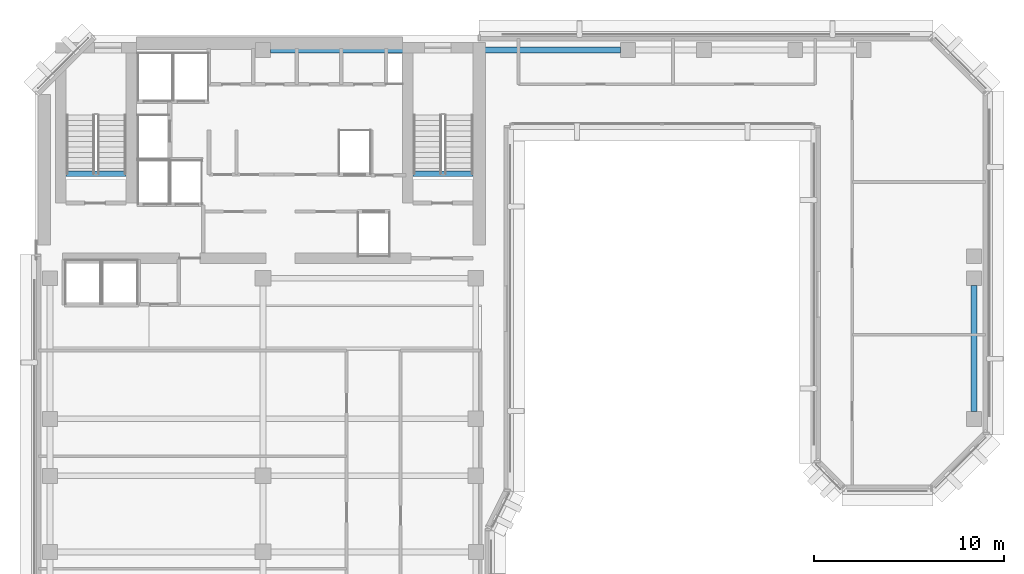
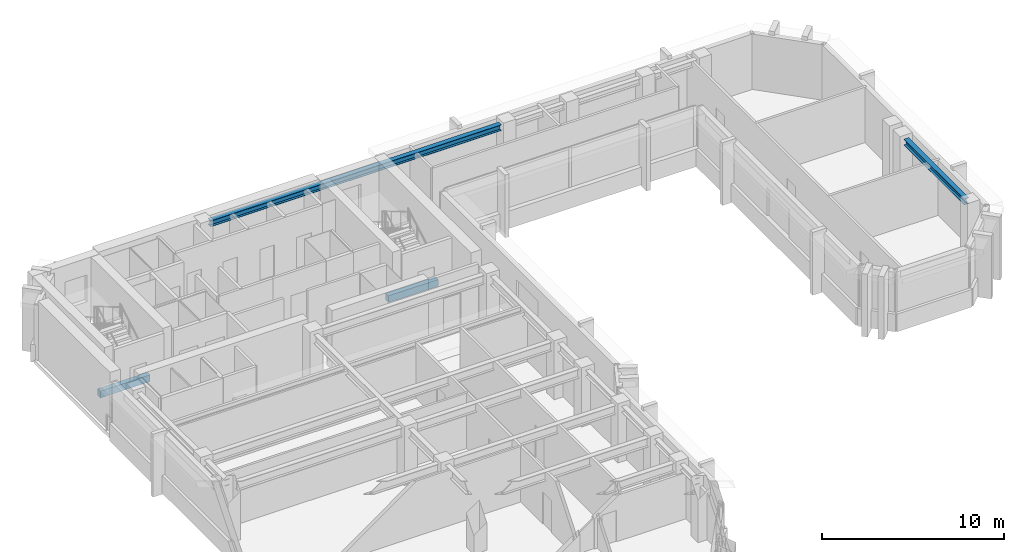
# One storey, part 3 of 11: 4 beams.
"""IFC4 building model written with IfcOpenShell, lengths in metres."""

import ifcopenshell
import ifcopenshell.guid

model = None  # the IFC model being written
_history = None  # IfcOwnerHistory: only IFC2X3 demands one
_inside = {}  # id of a spatial element -> (the spatial element, [elements in it])
_under = {}  # id of a project, library or spatial element -> (it, [spatial elements below it])
_declared = {}  # id of a project -> (the project, [libraries it declares])
_typed = {}  # id of a type object -> (the type object, [elements of that type])
_made_of = {}  # id of a material, layer set ... -> (it, [elements and type objects made of it])


def new_model(schema):
    """Start an empty IFC model of exactly this schema.

    Asked for "IFC4X3", IfcOpenShell would pick the latest addendum, in which some entities
    have other attributes; the version numbers below select the first issue.
    IFC2X3 requires an IfcOwnerHistory on every rooted entity: one is made here for all.
    """
    global model, _history
    if schema == "IFC4X3":
        model = ifcopenshell.file(schema_version=(4, 3, 0, 0))
    else:
        model = ifcopenshell.file(schema=schema)
    _inside.clear()
    _under.clear()
    _declared.clear()
    _typed.clear()
    _made_of.clear()
    _history = None
    if model.schema == "IFC2X3":
        org = make("IfcOrganization", Name="unknown")
        user = make(
            "IfcPersonAndOrganization",
            ThePerson=make("IfcPerson", FamilyName="unknown"),
            TheOrganization=org,
        )
        app = make(
            "IfcApplication",
            ApplicationDeveloper=org,
            Version="unknown",
            ApplicationFullName="unknown",
            ApplicationIdentifier="unknown",
        )
        _history = make(
            "IfcOwnerHistory",
            OwningUser=user,
            OwningApplication=app,
            ChangeAction="ADDED",
            CreationDate=0,
        )
    return model


def make(cls, **values):
    """One entity of the class cls with the attributes given. An attribute that is None is left unset."""
    return model.create_entity(
        cls, **{name: value for name, value in values.items() if value is not None}
    )


def rooted(cls, **values):
    """An entity with a GlobalId (a new one), such as an element, a storey or a relation."""
    return make(cls, GlobalId=ifcopenshell.guid.new(), OwnerHistory=_history, **values)


def si_unit(unit_type, name, prefix=None):
    """IfcSIUnit, for example si_unit("LENGTHUNIT", "METRE", prefix="MILLI")."""
    return make("IfcSIUnit", UnitType=unit_type, Prefix=prefix, Name=name)


def assignment(units):
    """IfcUnitAssignment: the units of a project."""
    return None if units is None else make("IfcUnitAssignment", Units=units)


def point(xyz):
    """IfcCartesianPoint."""
    return None if xyz is None else make("IfcCartesianPoint", Coordinates=xyz)


def direction(xyz):
    """IfcDirection."""
    return None if xyz is None else make("IfcDirection", DirectionRatios=xyz)


def frame(location, z_axis=None, x_axis=None):
    """IfcAxis2Placement3D, a coordinate frame: its origin and axes. An axis left out is left unset."""
    return make(
        "IfcAxis2Placement3D",
        Location=point(location),
        Axis=direction(z_axis),
        RefDirection=direction(x_axis),
    )


def frame_2d(location, x_axis=None):
    """IfcAxis2Placement2D, a coordinate frame in the plane: its origin and x axis."""
    return make(
        "IfcAxis2Placement2D", Location=point(location), RefDirection=direction(x_axis)
    )


def origin():
    """The frame at (0, 0, 0) with its axes left unset."""
    return frame((0.0, 0.0, 0.0))


def origin_2d():
    """The frame at (0, 0) in the plane with its x axis left unset."""
    return frame_2d((0.0, 0.0))


def place(relative_to, where):
    """IfcLocalPlacement: puts the frame where relative to a parent placement (None: the world)."""
    return make(
        "IfcLocalPlacement", PlacementRelTo=relative_to, RelativePlacement=where
    )


def context(
    kind, dimensions, precision=None, world=None, true_north=None, identifier=None
):
    """IfcGeometricRepresentationContext, for example the 3D "Model" context."""
    return make(
        "IfcGeometricRepresentationContext",
        ContextIdentifier=identifier,
        ContextType=kind,
        CoordinateSpaceDimension=dimensions,
        Precision=precision,
        WorldCoordinateSystem=world,
        TrueNorth=true_north,
    )


def subcontext(parent, identifier, kind, view, scale=None):
    """IfcGeometricRepresentationSubContext, for example "Body" below "Model"."""
    return make(
        "IfcGeometricRepresentationSubContext",
        ContextIdentifier=identifier,
        ContextType=kind,
        ParentContext=parent,
        TargetScale=scale,
        TargetView=view,
    )


def project(units=None, contexts=None):
    """IfcProject with its units and contexts."""
    return rooted(
        "IfcProject",
        Name="project",
        RepresentationContexts=contexts,
        UnitsInContext=assignment(units),
    )


def spatial(cls, under=None, at=None, **own):
    """A site, building, storey or space (cls), placed at a placement, below another one or the project."""
    s = rooted(cls, ObjectPlacement=at, **own)
    if under is not None:
        _under.setdefault(under.id(), (under, []))[1].append(s)
    return s


def profile(cls, at=None, kind="AREA", **sizes):
    """A parametric profile (cls). Its sizes go by their IFC names, for example OverallWidth=200.0."""
    return make(cls, ProfileType=kind, Position=at, **sizes)


def rectangle(**sizes):
    """IfcRectangleProfileDef."""
    return profile("IfcRectangleProfileDef", **sizes)


def i_section(**sizes):
    """IfcIShapeProfileDef."""
    return profile("IfcIShapeProfileDef", **sizes)


def extrude(swept, where, along, depth):
    """IfcExtrudedAreaSolid: the profile swept, set in the frame where, extruded along a direction by depth."""
    return make(
        "IfcExtrudedAreaSolid",
        SweptArea=swept,
        Position=where,
        ExtrudedDirection=direction(along),
        Depth=depth,
    )


def shape(context_of_items, identifier, shape_type, items):
    """IfcShapeRepresentation: the items that make up one representation, for example the "Body"."""
    return make(
        "IfcShapeRepresentation",
        ContextOfItems=context_of_items,
        RepresentationIdentifier=identifier,
        RepresentationType=shape_type,
        Items=items,
    )


def material(Name=None, Category=None):
    """IfcMaterial."""
    return make("IfcMaterial", Name=Name, Category=Category)


def material_profile(
    of_material, cross_section, Name=None, Category=None, Priority=None
):
    """IfcMaterialProfile: a cross section and its material."""
    return make(
        "IfcMaterialProfile",
        Name=Name,
        Material=of_material,
        Profile=cross_section,
        Priority=Priority,
        Category=Category,
    )


def profile_set(profiles, Name=None, composite=None):
    """IfcMaterialProfileSet."""
    return make(
        "IfcMaterialProfileSet",
        Name=Name,
        MaterialProfiles=profiles,
        CompositeProfile=composite,
    )


def made_of(thing, what):
    """Note that an element or type object is made of a material, layer set ...; save() writes the relation."""
    if what is not None:
        _made_of.setdefault(what.id(), (what, []))[1].append(thing)
    return thing


def type_object(cls, material=None, **own):
    """A type object (cls), such as IfcWallType, which elements share."""
    return made_of(rooted(cls, **own), material)


def element(
    cls,
    number,
    at=None,
    inside=None,
    cuts=None,
    type_object=None,
    material=None,
    context=None,
    identifier="Body",
    shape_type=None,
    held_by="IfcProductDefinitionShape",
    body=None,
    shapes=None,
    **own,
):
    """One element of the class cls, such as IfcWall. Its Tag is "e" and its number.

    at: its placement. inside: the storey or other place that contains it. cuts: it is an
    opening in that element (IfcRelVoidsElement). A single representation is given by context,
    identifier, shape_type and body (its items); several are given by shapes. held_by: the class
    of the entity that holds the representations. save() writes the other relations.
    """
    e = rooted(cls, Tag="e%d" % number, ObjectPlacement=at, **own)
    if body is not None:
        shapes = [shape(context, identifier, shape_type, body)]
    if shapes is not None:
        e.Representation = make(held_by, Representations=shapes)
    if inside is not None:
        _inside.setdefault(inside.id(), (inside, []))[1].append(e)
    if cuts is not None:
        rooted(
            "IfcRelVoidsElement", RelatingBuildingElement=cuts, RelatedOpeningElement=e
        )
    if type_object is not None:
        _typed.setdefault(type_object.id(), (type_object, []))[1].append(e)
    return made_of(e, material)


def aggregate(whole, parts):
    """IfcRelAggregates: a whole, such as a stair, and the parts it consists of."""
    return rooted("IfcRelAggregates", RelatingObject=whole, RelatedObjects=parts)


def save(model, path):
    """Write the relations noted so far, then the file.

    IfcRelAggregates (storeys below a building ...), IfcRelContainedInSpatialStructure (elements
    in a storey), IfcRelDefinesByType, IfcRelAssociatesMaterial and IfcRelDeclares: one each for
    every whole, place, type object, material and project.
    """
    for whole, parts in _under.values():
        aggregate(whole, parts)
    for where, things in _inside.values():
        rooted(
            "IfcRelContainedInSpatialStructure",
            RelatedElements=things,
            RelatingStructure=where,
        )
    for kind, things in _typed.values():
        rooted("IfcRelDefinesByType", RelatedObjects=things, RelatingType=kind)
    for what, things in _made_of.values():
        rooted("IfcRelAssociatesMaterial", RelatedObjects=things, RelatingMaterial=what)
    for by, libraries in _declared.values():
        rooted("IfcRelDeclares", RelatingContext=by, RelatedDefinitions=libraries)
    model.write(path)


model = new_model("IFC4")

# Units and contexts
model_context = context("Model", 3, precision=1e-05, world=origin(), true_north=direction((0.0, 1.0)))
body_context = subcontext(model_context, "Body", "Model", "MODEL_VIEW")
ifc_project = project(units=[si_unit("LENGTHUNIT", "METRE"), si_unit("AREAUNIT", "SQUARE_METRE"), si_unit("VOLUMEUNIT", "CUBIC_METRE"), si_unit("PLANEANGLEUNIT", "RADIAN"), si_unit("MASSUNIT", "GRAM", prefix="KILO")], contexts=[model_context])

# Site, building, storey
site_placement = place(None, origin())
site = spatial("IfcSite", under=ifc_project, at=site_placement, CompositionType="ELEMENT")
building_placement = place(site_placement, origin())
building = spatial("IfcBuilding", under=site, at=building_placement, Name="Kefirva Bronze Tower", CompositionType="ELEMENT")
storey_placement = place(building_placement, frame((0.0, 0.0, 227.699951171875)))
storey = spatial("IfcBuildingStorey", under=building, at=storey_placement, Name="L55", CompositionType="ELEMENT", Elevation=227.699951171875)

# Beams
ifc_material_1 = material(Name="Concrete C50/60", Category="concrete")
ifc_material_profile_1 = material_profile(ifc_material_1, rectangle(XDim=0.300048828125, YDim=0.449951171875, at=origin_2d()), Name="RC 300x450")
ifc_profile_set_1 = profile_set([ifc_material_profile_1], Name="Concrete C50/60")
beam_type_1 = type_object("IfcBeamType", Name="RC Stair Trimmer Beam 300x450", PredefinedType="BEAM", material=ifc_profile_set_1)
beam_1_placement = place(storey_placement, frame((1.64501953125, 38.699951171875, -0.224853515625), z_axis=(1.0, 0.0, 0.0), x_axis=(0.0, 1.0, 0.0)))
element("IfcBeam", 1, at=beam_1_placement, inside=storey, type_object=beam_type_1, Name="L55 Stair 1 Landing Trimmer Beam", PredefinedType="BEAM", context=body_context, shape_type="SweptSolid", body=[
    extrude(rectangle(XDim=0.300048828125, YDim=0.449951171875, at=origin_2d()), origin(), (0.0, 0.0, 1.0), 3.14990234375),
])
beam_2_placement = place(storey_placement, frame((19.89501953125, 38.699951171875, -0.224853515625), z_axis=(1.0, 0.0, 0.0), x_axis=(0.0, 1.0, 0.0)))
element("IfcBeam", 2, at=beam_2_placement, inside=storey, type_object=beam_type_1, Name="L55 Stair 2 Landing Trimmer Beam", PredefinedType="BEAM", context=body_context, shape_type="SweptSolid", body=[
    extrude(rectangle(XDim=0.300048828125, YDim=0.449951171875, at=origin_2d()), origin(), (0.0, 0.0, 1.0), 3.159912109375),
])
ifc_material_2 = material(Name="Steel S355", Category="steel")
ifc_material_profile_2 = material_profile(ifc_material_2, i_section(OverallWidth=0.300048828125, OverallDepth=0.39990234375, WebThickness=0.013427734375, FlangeThickness=0.02392578125, at=origin_2d()), Name="HEB 400")
ifc_profile_set_2 = profile_set([ifc_material_profile_2], Name="Steel S355")
beam_type_2 = type_object("IfcBeamType", Name="Steel Spandrel HEB 400 Ext", PredefinedType="SPANDREL", material=ifc_profile_set_2)
beam_3_placement = place(storey_placement, frame((12.389892578125, 45.199951171875, 3.510009765625), z_axis=(1.0, 0.0, 0.0), x_axis=(0.0, 1.0, 0.0)))
element("IfcBeam", 3, at=beam_3_placement, inside=storey, type_object=beam_type_2, Name="L55 BM-L55-EW-12-452", PredefinedType="SPANDREL", context=body_context, shape_type="SweptSolid", body=[
    extrude(i_section(OverallWidth=0.300048828125, OverallDepth=0.39990234375, WebThickness=0.013427734375, FlangeThickness=0.02392578125, at=origin_2d()), origin(), (0.0, 0.0, 1.0), 18.420166015625),
])
beam_4_placement = place(storey_placement, frame((49.39990234375, 26.18994140625, 3.510009765625), z_axis=(0.0, 1.0, 0.0), x_axis=(-1.0, 0.0, 0.0)))
element("IfcBeam", 4, at=beam_4_placement, inside=storey, type_object=beam_type_2, Name="L55 BM-L55-NS-494-25", PredefinedType="SPANDREL", context=body_context, shape_type="SweptSolid", body=[
    extrude(i_section(OverallWidth=0.300048828125, OverallDepth=0.39990234375, WebThickness=0.013427734375, FlangeThickness=0.02392578125, at=origin_2d()), origin(), (0.0, 0.0, 1.0), 6.6201171875),
])

save(model, "model.ifc")
